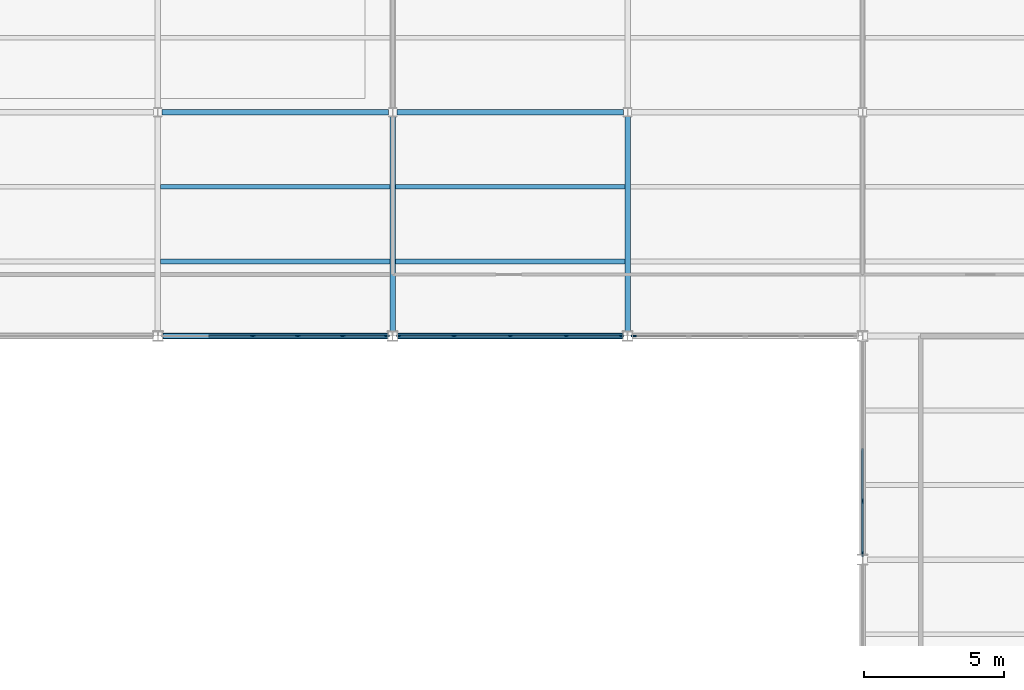
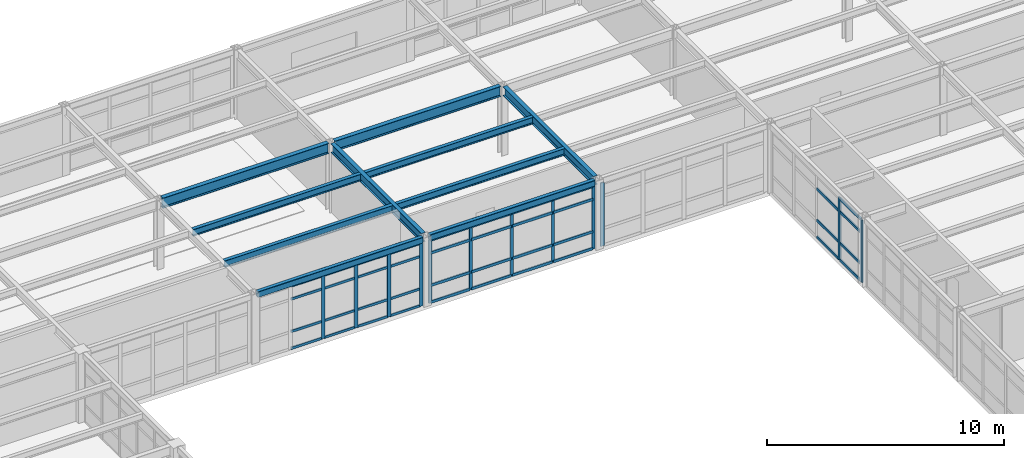
# One storey, part 32 of 96: 51 members, 10 beams, 4 elements without a shape of their own.
"""IFC4 building model written with IfcOpenShell, lengths in metres."""

from ifc_helpers import new_model, si_unit, direction, frame, origin, origin_2d, place, context, subcontext, project, spatial, rectangle, hollow_rectangle, i_section, extrude, material, layer, layer_set, material_profile, profile_set, type_object, element, aggregate, save


model = new_model("IFC4")

# Units and contexts
model_context = context("Model", 3, precision=1e-05, world=origin(), true_north=direction((0.0, 1.0)))
body_context = subcontext(model_context, "Body", "Model", "MODEL_VIEW")
ifc_project = project(units=[si_unit("LENGTHUNIT", "METRE"), si_unit("AREAUNIT", "SQUARE_METRE"), si_unit("VOLUMEUNIT", "CUBIC_METRE"), si_unit("PLANEANGLEUNIT", "RADIAN"), si_unit("MASSUNIT", "GRAM", prefix="KILO")], contexts=[model_context])

# Site, building, storey
site_placement = place(None, origin())
site = spatial("IfcSite", under=ifc_project, at=site_placement, CompositionType="ELEMENT")
building_placement = place(site_placement, origin())
building = spatial("IfcBuilding", under=site, at=building_placement, Name="Kranzveld Transit Interchange", CompositionType="ELEMENT")
storey_placement = place(building_placement, frame((0.0, 0.0, 9.52001953125)))
storey = spatial("IfcBuildingStorey", under=building, at=storey_placement, Name="L02", CompositionType="ELEMENT", Elevation=9.52001953125)

# Beams
ifc_material_1 = material(Name="Steel S355JR", Category="steel")
ifc_material_profile_1 = material_profile(ifc_material_1, i_section(OverallWidth=0.19189453125, OverallDepth=0.46337890625, WebThickness=0.010498046875, FlangeThickness=0.017578125, FilletRadius=0.01025390625, at=origin_2d()), Name="UB 457x191x89")
ifc_profile_set_1 = profile_set([ifc_material_profile_1], Name="Steel S355JR")
beam_type_1 = type_object("IfcBeamType", Name="Beam Steel UB 457x191x89 S355JR", PredefinedType="BEAM", material=ifc_profile_set_1)
for number, where, z_axis, x_axis, name in (
    (1, (134.39990234375, 96.17724609375, 3.33837890625), (0.0, 1.0, 0.0), (-1.0, 0.0, 0.0), "L02 Girder 17/N-P"),
    (2, (142.800048828125, 96.17724609375, 3.33837890625), (0.0, 1.0, 0.0), (-1.0, 0.0, 0.0), "L02 Girder 18/N-P"),
):
    element("IfcBeam", number, at=place(storey_placement, frame(where, z_axis=z_axis, x_axis=x_axis)), inside=storey, type_object=beam_type_1, Name=name, PredefinedType="BEAM", context=body_context, shape_type="SweptSolid", body=[
        extrude(i_section(OverallWidth=0.19189453125, OverallDepth=0.46337890625, WebThickness=0.010498046875, FlangeThickness=0.017578125, FilletRadius=0.01025390625, at=origin_2d()), origin(), (0.0, 0.0, 1.0), 7.662841796875),
    ])

# Curtain wall, members
ifc_material_2 = material(Name="Bronze-anodised thermally broken aluminium", Category="aluminium")
ifc_layer_1 = layer(ifc_material_2, 0.159912109375)
ifc_layer_set_1 = layer_set([ifc_layer_1], Name="Bronze-anodised thermally broken aluminium")
curtain_wall_type_1 = type_object("IfcCurtainWallType", Name="Bus Boarding Glazed Screen CW-3", PredefinedType="USERDEFINED", material=ifc_layer_set_1)
curtain_wall_1_placement = place(storey_placement, origin())
curtain_wall_1 = element("IfcCurtainWall", 3, at=curtain_wall_1_placement, inside=storey, type_object=curtain_wall_type_1, Name="L02 Curtain Wall 17/N-18/N", ObjectType="CURTAIN WALL", PredefinedType="USERDEFINED")
ifc_material_3 = material(Name="Bronze-anodised thermally broken aluminium", Category="aluminium")
ifc_material_profile_2 = material_profile(ifc_material_3, rectangle(XDim=0.06005859375, YDim=0.14990234375, at=origin_2d()), Name="ALU MULLION 60x150")
ifc_profile_set_2 = profile_set([ifc_material_profile_2], Name="Bronze-anodised thermally broken aluminium")
member_type_1 = type_object("IfcMemberType", Name="Curtain Wall Mullion 60x150 Alu", PredefinedType="MULLION", material=ifc_profile_set_2)
member_1_placement = place(storey_placement, frame((134.6171875, 96.0, 0.0), z_axis=(0.0, 0.0, 1.0), x_axis=(0.0, 1.0, 0.0)))
member_1 = element("IfcMember", 4, at=member_1_placement, type_object=member_type_1, Name="CW-3 mullion 1", PredefinedType="MULLION", context=body_context, shape_type="SweptSolid", body=[
    extrude(rectangle(XDim=0.06005859375, YDim=0.14990234375, at=origin_2d()), origin(), (0.0, 0.0, 1.0), 3.27001953125),
])
member_2_placement = place(storey_placement, frame((136.59375, 96.0, 0.0), z_axis=(0.0, 0.0, 1.0), x_axis=(0.0, 1.0, 0.0)))
member_2 = element("IfcMember", 5, at=member_2_placement, type_object=member_type_1, Name="CW-3 mullion 2", PredefinedType="MULLION", context=body_context, shape_type="SweptSolid", body=[
    extrude(rectangle(XDim=0.06005859375, YDim=0.14990234375, at=origin_2d()), origin(), (0.0, 0.0, 1.0), 3.27001953125),
])
member_3_placement = place(storey_placement, frame((138.60009765625, 96.0, 0.0), z_axis=(0.0, 0.0, 1.0), x_axis=(0.0, 1.0, 0.0)))
member_3 = element("IfcMember", 6, at=member_3_placement, type_object=member_type_1, Name="CW-3 mullion 3", PredefinedType="MULLION", context=body_context, shape_type="SweptSolid", body=[
    extrude(rectangle(XDim=0.06005859375, YDim=0.14990234375, at=origin_2d()), origin(), (0.0, 0.0, 1.0), 3.27001953125),
])
member_4_placement = place(storey_placement, frame((140.6064453125, 96.0, 0.0), z_axis=(0.0, 0.0, 1.0), x_axis=(0.0, 1.0, 0.0)))
member_4 = element("IfcMember", 7, at=member_4_placement, type_object=member_type_1, Name="CW-3 mullion 4", PredefinedType="MULLION", context=body_context, shape_type="SweptSolid", body=[
    extrude(rectangle(XDim=0.06005859375, YDim=0.14990234375, at=origin_2d()), origin(), (0.0, 0.0, 1.0), 3.27001953125),
])
member_5_placement = place(storey_placement, frame((142.582763671875, 96.0, 0.0), z_axis=(0.0, 0.0, 1.0), x_axis=(0.0, 1.0, 0.0)))
member_5 = element("IfcMember", 8, at=member_5_placement, type_object=member_type_1, Name="CW-3 mullion 5", PredefinedType="MULLION", context=body_context, shape_type="SweptSolid", body=[
    extrude(rectangle(XDim=0.06005859375, YDim=0.14990234375, at=origin_2d()), origin(), (0.0, 0.0, 1.0), 3.27001953125),
])

ifc_material_4 = material(Name="Bronze-anodised thermally broken aluminium", Category="aluminium")
ifc_layer_2 = layer(ifc_material_4, 0.18505859375)
ifc_layer_set_2 = layer_set([ifc_layer_2], Name="Bronze-anodised thermally broken aluminium")
curtain_wall_type_2 = type_object("IfcCurtainWallType", Name="Control Crown Observation Facade CW-5", PredefinedType="USERDEFINED", material=ifc_layer_set_2)
curtain_wall_2_placement = place(storey_placement, origin())
curtain_wall_2 = element("IfcCurtainWall", 9, at=curtain_wall_2_placement, inside=storey, type_object=curtain_wall_type_2, Name="L02 Curtain Wall 19/M-19/N", ObjectType="CURTAIN WALL", PredefinedType="USERDEFINED")
ifc_material_5 = material(Name="Bronze-anodised thermally broken aluminium", Category="aluminium")
ifc_material_profile_3 = material_profile(ifc_material_5, rectangle(XDim=0.06494140625, YDim=0.179931640625, at=origin_2d()), Name="ALU MULLION 65x180")
ifc_profile_set_3 = profile_set([ifc_material_profile_3], Name="Bronze-anodised thermally broken aluminium")
member_type_2 = type_object("IfcMemberType", Name="Curtain Wall Mullion 65x180 Alu", PredefinedType="MULLION", material=ifc_profile_set_3)
member_6_placement = place(storey_placement, frame((151.199951171875, 88.2197265625, 0.0), z_axis=(0.0, 0.0, 1.0), x_axis=(-1.0, 0.0, 0.0)))
member_6 = element("IfcMember", 10, at=member_6_placement, type_object=member_type_2, Name="CW-5 mullion 1", PredefinedType="MULLION", context=body_context, shape_type="SweptSolid", body=[
    extrude(rectangle(XDim=0.06494140625, YDim=0.179931640625, at=origin_2d()), origin(), (0.0, 0.0, 1.0), 3.218505859375),
])
member_7_placement = place(storey_placement, frame((151.199951171875, 90.09375, 0.0), z_axis=(0.0, 0.0, 1.0), x_axis=(-1.0, 0.0, 0.0)))
member_7 = element("IfcMember", 11, at=member_7_placement, type_object=member_type_2, Name="CW-5 mullion 2", PredefinedType="MULLION", context=body_context, shape_type="SweptSolid", body=[
    extrude(rectangle(XDim=0.06494140625, YDim=0.179931640625, at=origin_2d()), origin(), (0.0, 0.0, 1.0), 3.218505859375),
])

ifc_material_6 = material(Name="Bronze-anodised thermally broken aluminium", Category="aluminium")
ifc_layer_3 = layer(ifc_material_6, 0.1650390625)
ifc_layer_set_3 = layer_set([ifc_layer_3], Name="Bronze-anodised thermally broken aluminium")
curtain_wall_type_3 = type_object("IfcCurtainWallType", Name="Sunny Court Arcade Curtain Wall CW-2", PredefinedType="USERDEFINED", material=ifc_layer_set_3)
curtain_wall_3_placement = place(storey_placement, origin())
curtain_wall_3 = element("IfcCurtainWall", 12, at=curtain_wall_3_placement, inside=storey, type_object=curtain_wall_type_3, Name="L02 Curtain Wall 16/N-17/N", ObjectType="CURTAIN WALL", PredefinedType="USERDEFINED")
member_8_placement = place(storey_placement, frame((129.3974609375, 96.0, 0.0), z_axis=(0.0, 0.0, 1.0), x_axis=(0.0, 1.0, 0.0)))
member_8 = element("IfcMember", 13, at=member_8_placement, type_object=member_type_2, Name="CW-2 mullion 3", PredefinedType="MULLION", context=body_context, shape_type="SweptSolid", body=[
    extrude(rectangle(XDim=0.06494140625, YDim=0.179931640625, at=origin_2d()), origin(), (0.0, 0.0, 1.0), 3.27001953125),
])
member_9_placement = place(storey_placement, frame((131.00244140625, 96.0, 0.0), z_axis=(0.0, 0.0, 1.0), x_axis=(0.0, 1.0, 0.0)))
member_9 = element("IfcMember", 14, at=member_9_placement, type_object=member_type_2, Name="CW-2 mullion 4", PredefinedType="MULLION", context=body_context, shape_type="SweptSolid", body=[
    extrude(rectangle(XDim=0.06494140625, YDim=0.179931640625, at=origin_2d()), origin(), (0.0, 0.0, 1.0), 3.27001953125),
])
member_10_placement = place(storey_placement, frame((132.607666015625, 96.0, 0.0), z_axis=(0.0, 0.0, 1.0), x_axis=(0.0, 1.0, 0.0)))
member_10 = element("IfcMember", 15, at=member_10_placement, type_object=member_type_2, Name="CW-2 mullion 5", PredefinedType="MULLION", context=body_context, shape_type="SweptSolid", body=[
    extrude(rectangle(XDim=0.06494140625, YDim=0.179931640625, at=origin_2d()), origin(), (0.0, 0.0, 1.0), 3.27001953125),
])
member_11_placement = place(storey_placement, frame((134.18017578125, 96.0, 0.0), z_axis=(0.0, 0.0, 1.0), x_axis=(0.0, 1.0, 0.0)))
member_11 = element("IfcMember", 16, at=member_11_placement, type_object=member_type_2, Name="CW-2 mullion 6", PredefinedType="MULLION", context=body_context, shape_type="SweptSolid", body=[
    extrude(rectangle(XDim=0.06494140625, YDim=0.179931640625, at=origin_2d()), origin(), (0.0, 0.0, 1.0), 3.27001953125),
])

# Curtain wall, member
ifc_material_7 = material(Name="Bronze-anodised thermally broken aluminium", Category="aluminium")
ifc_layer_4 = layer(ifc_material_7, 0.179931640625)
ifc_layer_set_4 = layer_set([ifc_layer_4], Name="Bronze-anodised thermally broken aluminium")
curtain_wall_type_4 = type_object("IfcCurtainWallType", Name="Concourse Unitised Curtain Wall CW-1", PredefinedType="USERDEFINED", material=ifc_layer_set_4)
curtain_wall_4_placement = place(storey_placement, origin())
curtain_wall_4 = element("IfcCurtainWall", 17, at=curtain_wall_4_placement, inside=storey, type_object=curtain_wall_type_4, Name="L02 Curtain Wall 18/N-19/N", ObjectType="CURTAIN WALL", PredefinedType="USERDEFINED")
member_12_placement = place(storey_placement, frame((143.019775390625, 96.0, 0.0), z_axis=(0.0, 0.0, 1.0), x_axis=(0.0, 1.0, 0.0)))
member_12 = element("IfcMember", 18, at=member_12_placement, type_object=member_type_2, Name="CW-1 mullion 1", PredefinedType="MULLION", context=body_context, shape_type="SweptSolid", body=[
    extrude(rectangle(XDim=0.06494140625, YDim=0.179931640625, at=origin_2d()), origin(), (0.0, 0.0, 1.0), 3.27001953125),
])
aggregate(curtain_wall_4, [member_12])

# Member
ifc_material_8 = material(Name="Bronze-anodised thermally broken aluminium", Category="aluminium")
ifc_material_profile_4 = material_profile(ifc_material_8, rectangle(XDim=0.06005859375, YDim=0.125, at=origin_2d()), Name="ALU TRANSOM 60x125")
ifc_profile_set_4 = profile_set([ifc_material_profile_4], Name="Bronze-anodised thermally broken aluminium")
member_type_3 = type_object("IfcMemberType", Name="Curtain Wall Transom 60x125 Alu", PredefinedType="USERDEFINED", material=ifc_profile_set_4)
member_13_placement = place(storey_placement, frame((127.824951171875, 96.0, 0.030029296875), z_axis=(1.0, 0.0, 0.0), x_axis=(0.0, 1.0, 0.0)))
member_13 = element("IfcMember", 19, at=member_13_placement, type_object=member_type_3, Name="CW-2 transom 2.1", ObjectType="TRANSOM", PredefinedType="USERDEFINED", context=body_context, shape_type="SweptSolid", body=[
    extrude(rectangle(XDim=0.06005859375, YDim=0.125, at=origin_2d()), origin(), (0.0, 0.0, 1.0), 1.5400390625),
])

member_14_placement = place(storey_placement, frame((127.824951171875, 96.0, 0.89990234375), z_axis=(1.0, 0.0, 0.0), x_axis=(0.0, 1.0, 0.0)))
member_14 = element("IfcMember", 20, at=member_14_placement, type_object=member_type_3, Name="CW-2 transom 2.2", ObjectType="TRANSOM", PredefinedType="USERDEFINED", context=body_context, shape_type="SweptSolid", body=[
    extrude(rectangle(XDim=0.06005859375, YDim=0.125, at=origin_2d()), origin(), (0.0, 0.0, 1.0), 1.5400390625),
])

member_15_placement = place(storey_placement, frame((127.824951171875, 96.0, 2.570068359375), z_axis=(1.0, 0.0, 0.0), x_axis=(0.0, 1.0, 0.0)))
member_15 = element("IfcMember", 21, at=member_15_placement, type_object=member_type_3, Name="CW-2 transom 2.3", ObjectType="TRANSOM", PredefinedType="USERDEFINED", context=body_context, shape_type="SweptSolid", body=[
    extrude(rectangle(XDim=0.06005859375, YDim=0.125, at=origin_2d()), origin(), (0.0, 0.0, 1.0), 1.5400390625),
])

member_16_placement = place(storey_placement, frame((127.824951171875, 96.0, 3.239990234375), z_axis=(1.0, 0.0, 0.0), x_axis=(0.0, 1.0, 0.0)))
member_16 = element("IfcMember", 22, at=member_16_placement, type_object=member_type_3, Name="CW-2 transom 2.4", ObjectType="TRANSOM", PredefinedType="USERDEFINED", context=body_context, shape_type="SweptSolid", body=[
    extrude(rectangle(XDim=0.06005859375, YDim=0.125, at=origin_2d()), origin(), (0.0, 0.0, 1.0), 1.5400390625),
])

member_17_placement = place(storey_placement, frame((129.429931640625, 96.0, 0.030029296875), z_axis=(1.0, 0.0, 0.0), x_axis=(0.0, 1.0, 0.0)))
member_17 = element("IfcMember", 23, at=member_17_placement, type_object=member_type_3, Name="CW-2 transom 3.1", ObjectType="TRANSOM", PredefinedType="USERDEFINED", context=body_context, shape_type="SweptSolid", body=[
    extrude(rectangle(XDim=0.06005859375, YDim=0.125, at=origin_2d()), origin(), (0.0, 0.0, 1.0), 1.5400390625),
])

member_18_placement = place(storey_placement, frame((129.429931640625, 96.0, 0.89990234375), z_axis=(1.0, 0.0, 0.0), x_axis=(0.0, 1.0, 0.0)))
member_18 = element("IfcMember", 24, at=member_18_placement, type_object=member_type_3, Name="CW-2 transom 3.2", ObjectType="TRANSOM", PredefinedType="USERDEFINED", context=body_context, shape_type="SweptSolid", body=[
    extrude(rectangle(XDim=0.06005859375, YDim=0.125, at=origin_2d()), origin(), (0.0, 0.0, 1.0), 1.5400390625),
])

member_19_placement = place(storey_placement, frame((129.429931640625, 96.0, 2.570068359375), z_axis=(1.0, 0.0, 0.0), x_axis=(0.0, 1.0, 0.0)))
member_19 = element("IfcMember", 25, at=member_19_placement, type_object=member_type_3, Name="CW-2 transom 3.3", ObjectType="TRANSOM", PredefinedType="USERDEFINED", context=body_context, shape_type="SweptSolid", body=[
    extrude(rectangle(XDim=0.06005859375, YDim=0.125, at=origin_2d()), origin(), (0.0, 0.0, 1.0), 1.5400390625),
])

member_20_placement = place(storey_placement, frame((129.429931640625, 96.0, 3.239990234375), z_axis=(1.0, 0.0, 0.0), x_axis=(0.0, 1.0, 0.0)))
member_20 = element("IfcMember", 26, at=member_20_placement, type_object=member_type_3, Name="CW-2 transom 3.4", ObjectType="TRANSOM", PredefinedType="USERDEFINED", context=body_context, shape_type="SweptSolid", body=[
    extrude(rectangle(XDim=0.06005859375, YDim=0.125, at=origin_2d()), origin(), (0.0, 0.0, 1.0), 1.5400390625),
])

member_21_placement = place(storey_placement, frame((131.03515625, 96.0, 0.030029296875), z_axis=(1.0, 0.0, 0.0), x_axis=(0.0, 1.0, 0.0)))
member_21 = element("IfcMember", 27, at=member_21_placement, type_object=member_type_3, Name="CW-2 transom 4.1", ObjectType="TRANSOM", PredefinedType="USERDEFINED", context=body_context, shape_type="SweptSolid", body=[
    extrude(rectangle(XDim=0.06005859375, YDim=0.125, at=origin_2d()), origin(), (0.0, 0.0, 1.0), 1.5400390625),
])

member_22_placement = place(storey_placement, frame((131.03515625, 96.0, 0.89990234375), z_axis=(1.0, 0.0, 0.0), x_axis=(0.0, 1.0, 0.0)))
member_22 = element("IfcMember", 28, at=member_22_placement, type_object=member_type_3, Name="CW-2 transom 4.2", ObjectType="TRANSOM", PredefinedType="USERDEFINED", context=body_context, shape_type="SweptSolid", body=[
    extrude(rectangle(XDim=0.06005859375, YDim=0.125, at=origin_2d()), origin(), (0.0, 0.0, 1.0), 1.5400390625),
])

member_23_placement = place(storey_placement, frame((131.03515625, 96.0, 2.570068359375), z_axis=(1.0, 0.0, 0.0), x_axis=(0.0, 1.0, 0.0)))
member_23 = element("IfcMember", 29, at=member_23_placement, type_object=member_type_3, Name="CW-2 transom 4.3", ObjectType="TRANSOM", PredefinedType="USERDEFINED", context=body_context, shape_type="SweptSolid", body=[
    extrude(rectangle(XDim=0.06005859375, YDim=0.125, at=origin_2d()), origin(), (0.0, 0.0, 1.0), 1.5400390625),
])

member_24_placement = place(storey_placement, frame((131.03515625, 96.0, 3.239990234375), z_axis=(1.0, 0.0, 0.0), x_axis=(0.0, 1.0, 0.0)))
member_24 = element("IfcMember", 30, at=member_24_placement, type_object=member_type_3, Name="CW-2 transom 4.4", ObjectType="TRANSOM", PredefinedType="USERDEFINED", context=body_context, shape_type="SweptSolid", body=[
    extrude(rectangle(XDim=0.06005859375, YDim=0.125, at=origin_2d()), origin(), (0.0, 0.0, 1.0), 1.5400390625),
])

member_25_placement = place(storey_placement, frame((132.64013671875, 96.0, 0.030029296875), z_axis=(1.0, 0.0, 0.0), x_axis=(0.0, 1.0, 0.0)))
member_25 = element("IfcMember", 31, at=member_25_placement, type_object=member_type_3, Name="CW-2 transom 5.1", ObjectType="TRANSOM", PredefinedType="USERDEFINED", context=body_context, shape_type="SweptSolid", body=[
    extrude(rectangle(XDim=0.06005859375, YDim=0.125, at=origin_2d()), origin(), (0.0, 0.0, 1.0), 1.507568359375),
])

member_26_placement = place(storey_placement, frame((132.64013671875, 96.0, 0.89990234375), z_axis=(1.0, 0.0, 0.0), x_axis=(0.0, 1.0, 0.0)))
member_26 = element("IfcMember", 32, at=member_26_placement, type_object=member_type_3, Name="CW-2 transom 5.2", ObjectType="TRANSOM", PredefinedType="USERDEFINED", context=body_context, shape_type="SweptSolid", body=[
    extrude(rectangle(XDim=0.06005859375, YDim=0.125, at=origin_2d()), origin(), (0.0, 0.0, 1.0), 1.507568359375),
])

member_27_placement = place(storey_placement, frame((132.64013671875, 96.0, 2.570068359375), z_axis=(1.0, 0.0, 0.0), x_axis=(0.0, 1.0, 0.0)))
member_27 = element("IfcMember", 33, at=member_27_placement, type_object=member_type_3, Name="CW-2 transom 5.3", ObjectType="TRANSOM", PredefinedType="USERDEFINED", context=body_context, shape_type="SweptSolid", body=[
    extrude(rectangle(XDim=0.06005859375, YDim=0.125, at=origin_2d()), origin(), (0.0, 0.0, 1.0), 1.507568359375),
])

member_28_placement = place(storey_placement, frame((132.64013671875, 96.0, 3.239990234375), z_axis=(1.0, 0.0, 0.0), x_axis=(0.0, 1.0, 0.0)))
member_28 = element("IfcMember", 34, at=member_28_placement, type_object=member_type_3, Name="CW-2 transom 5.4", ObjectType="TRANSOM", PredefinedType="USERDEFINED", context=body_context, shape_type="SweptSolid", body=[
    extrude(rectangle(XDim=0.06005859375, YDim=0.125, at=origin_2d()), origin(), (0.0, 0.0, 1.0), 1.507568359375),
])

aggregate(curtain_wall_3, [member_8, member_9, member_10, member_11, member_13, member_14, member_15, member_16, member_17, member_18, member_19, member_20, member_21, member_22, member_23, member_24, member_25, member_26, member_27, member_28])

ifc_material_9 = material(Name="Bronze-anodised thermally broken aluminium", Category="aluminium")
ifc_material_profile_5 = material_profile(ifc_material_9, rectangle(XDim=0.06494140625, YDim=0.139892578125, at=origin_2d()), Name="ALU TRANSOM 65x140")
ifc_profile_set_5 = profile_set([ifc_material_profile_5], Name="Bronze-anodised thermally broken aluminium")
member_type_4 = type_object("IfcMemberType", Name="Curtain Wall Transom 65x140 Alu", PredefinedType="USERDEFINED", material=ifc_profile_set_5)
member_29_placement = place(storey_placement, frame((151.199951171875, 88.252197265625, 0.032470703125), z_axis=(0.0, 1.0, 0.0), x_axis=(-1.0, 0.0, 0.0)))
member_29 = element("IfcMember", 35, at=member_29_placement, type_object=member_type_4, Name="CW-5 transom 1.1", ObjectType="TRANSOM", PredefinedType="USERDEFINED", context=body_context, shape_type="SweptSolid", body=[
    extrude(rectangle(XDim=0.06494140625, YDim=0.139892578125, at=origin_2d()), origin(), (0.0, 0.0, 1.0), 1.808837890625),
])

member_30_placement = place(storey_placement, frame((151.199951171875, 88.252197265625, 0.89990234375), z_axis=(0.0, 1.0, 0.0), x_axis=(-1.0, 0.0, 0.0)))
member_30 = element("IfcMember", 36, at=member_30_placement, type_object=member_type_4, Name="CW-5 transom 1.2", ObjectType="TRANSOM", PredefinedType="USERDEFINED", context=body_context, shape_type="SweptSolid", body=[
    extrude(rectangle(XDim=0.06494140625, YDim=0.139892578125, at=origin_2d()), origin(), (0.0, 0.0, 1.0), 1.808837890625),
])

member_31_placement = place(storey_placement, frame((151.199951171875, 88.252197265625, 2.5185546875), z_axis=(0.0, 1.0, 0.0), x_axis=(-1.0, 0.0, 0.0)))
member_31 = element("IfcMember", 37, at=member_31_placement, type_object=member_type_4, Name="CW-5 transom 1.3", ObjectType="TRANSOM", PredefinedType="USERDEFINED", context=body_context, shape_type="SweptSolid", body=[
    extrude(rectangle(XDim=0.06494140625, YDim=0.139892578125, at=origin_2d()), origin(), (0.0, 0.0, 1.0), 1.808837890625),
])

member_32_placement = place(storey_placement, frame((151.199951171875, 88.252197265625, 3.18603515625), z_axis=(0.0, 1.0, 0.0), x_axis=(-1.0, 0.0, 0.0)))
member_32 = element("IfcMember", 38, at=member_32_placement, type_object=member_type_4, Name="CW-5 transom 1.4", ObjectType="TRANSOM", PredefinedType="USERDEFINED", context=body_context, shape_type="SweptSolid", body=[
    extrude(rectangle(XDim=0.06494140625, YDim=0.139892578125, at=origin_2d()), origin(), (0.0, 0.0, 1.0), 1.808837890625),
])

member_33_placement = place(storey_placement, frame((151.199951171875, 90.126220703125, 0.032470703125), z_axis=(0.0, 1.0, 0.0), x_axis=(-1.0, 0.0, 0.0)))
member_33 = element("IfcMember", 39, at=member_33_placement, type_object=member_type_4, Name="CW-5 transom 2.1", ObjectType="TRANSOM", PredefinedType="USERDEFINED", context=body_context, shape_type="SweptSolid", body=[
    extrude(rectangle(XDim=0.06494140625, YDim=0.139892578125, at=origin_2d()), origin(), (0.0, 0.0, 1.0), 1.84130859375),
])

member_34_placement = place(storey_placement, frame((151.199951171875, 90.126220703125, 0.89990234375), z_axis=(0.0, 1.0, 0.0), x_axis=(-1.0, 0.0, 0.0)))
member_34 = element("IfcMember", 40, at=member_34_placement, type_object=member_type_4, Name="CW-5 transom 2.2", ObjectType="TRANSOM", PredefinedType="USERDEFINED", context=body_context, shape_type="SweptSolid", body=[
    extrude(rectangle(XDim=0.06494140625, YDim=0.139892578125, at=origin_2d()), origin(), (0.0, 0.0, 1.0), 1.84130859375),
])

member_35_placement = place(storey_placement, frame((151.199951171875, 90.126220703125, 2.5185546875), z_axis=(0.0, 1.0, 0.0), x_axis=(-1.0, 0.0, 0.0)))
member_35 = element("IfcMember", 41, at=member_35_placement, type_object=member_type_4, Name="CW-5 transom 2.3", ObjectType="TRANSOM", PredefinedType="USERDEFINED", context=body_context, shape_type="SweptSolid", body=[
    extrude(rectangle(XDim=0.06494140625, YDim=0.139892578125, at=origin_2d()), origin(), (0.0, 0.0, 1.0), 1.84130859375),
])

aggregate(curtain_wall_2, [member_6, member_7, member_29, member_30, member_31, member_32, member_33, member_34, member_35])

member_36_placement = place(storey_placement, frame((134.647216796875, 96.0, 0.032470703125), z_axis=(1.0, 0.0, 0.0), x_axis=(0.0, 1.0, 0.0)))
member_36 = element("IfcMember", 42, at=member_36_placement, type_object=member_type_4, Name="CW-3 transom 1.1", ObjectType="TRANSOM", PredefinedType="USERDEFINED", context=body_context, shape_type="SweptSolid", body=[
    extrude(rectangle(XDim=0.06494140625, YDim=0.139892578125, at=origin_2d()), origin(), (0.0, 0.0, 1.0), 1.91650390625),
])

member_37_placement = place(storey_placement, frame((134.647216796875, 96.0, 0.89990234375), z_axis=(1.0, 0.0, 0.0), x_axis=(0.0, 1.0, 0.0)))
member_37 = element("IfcMember", 43, at=member_37_placement, type_object=member_type_4, Name="CW-3 transom 1.2", ObjectType="TRANSOM", PredefinedType="USERDEFINED", context=body_context, shape_type="SweptSolid", body=[
    extrude(rectangle(XDim=0.06494140625, YDim=0.139892578125, at=origin_2d()), origin(), (0.0, 0.0, 1.0), 1.91650390625),
])

member_38_placement = place(storey_placement, frame((134.647216796875, 96.0, 2.570068359375), z_axis=(1.0, 0.0, 0.0), x_axis=(0.0, 1.0, 0.0)))
member_38 = element("IfcMember", 44, at=member_38_placement, type_object=member_type_4, Name="CW-3 transom 1.3", ObjectType="TRANSOM", PredefinedType="USERDEFINED", context=body_context, shape_type="SweptSolid", body=[
    extrude(rectangle(XDim=0.06494140625, YDim=0.139892578125, at=origin_2d()), origin(), (0.0, 0.0, 1.0), 1.91650390625),
])

member_39_placement = place(storey_placement, frame((134.647216796875, 96.0, 3.237548828125), z_axis=(1.0, 0.0, 0.0), x_axis=(0.0, 1.0, 0.0)))
member_39 = element("IfcMember", 45, at=member_39_placement, type_object=member_type_4, Name="CW-3 transom 1.4", ObjectType="TRANSOM", PredefinedType="USERDEFINED", context=body_context, shape_type="SweptSolid", body=[
    extrude(rectangle(XDim=0.06494140625, YDim=0.139892578125, at=origin_2d()), origin(), (0.0, 0.0, 1.0), 1.91650390625),
])

member_40_placement = place(storey_placement, frame((136.62353515625, 96.0, 0.032470703125), z_axis=(1.0, 0.0, 0.0), x_axis=(0.0, 1.0, 0.0)))
member_40 = element("IfcMember", 46, at=member_40_placement, type_object=member_type_4, Name="CW-3 transom 2.1", ObjectType="TRANSOM", PredefinedType="USERDEFINED", context=body_context, shape_type="SweptSolid", body=[
    extrude(rectangle(XDim=0.06494140625, YDim=0.139892578125, at=origin_2d()), origin(), (0.0, 0.0, 1.0), 1.946533203125),
])

member_41_placement = place(storey_placement, frame((136.62353515625, 96.0, 0.89990234375), z_axis=(1.0, 0.0, 0.0), x_axis=(0.0, 1.0, 0.0)))
member_41 = element("IfcMember", 47, at=member_41_placement, type_object=member_type_4, Name="CW-3 transom 2.2", ObjectType="TRANSOM", PredefinedType="USERDEFINED", context=body_context, shape_type="SweptSolid", body=[
    extrude(rectangle(XDim=0.06494140625, YDim=0.139892578125, at=origin_2d()), origin(), (0.0, 0.0, 1.0), 1.946533203125),
])

member_42_placement = place(storey_placement, frame((136.62353515625, 96.0, 2.570068359375), z_axis=(1.0, 0.0, 0.0), x_axis=(0.0, 1.0, 0.0)))
member_42 = element("IfcMember", 48, at=member_42_placement, type_object=member_type_4, Name="CW-3 transom 2.3", ObjectType="TRANSOM", PredefinedType="USERDEFINED", context=body_context, shape_type="SweptSolid", body=[
    extrude(rectangle(XDim=0.06494140625, YDim=0.139892578125, at=origin_2d()), origin(), (0.0, 0.0, 1.0), 1.946533203125),
])

member_43_placement = place(storey_placement, frame((136.62353515625, 96.0, 3.237548828125), z_axis=(1.0, 0.0, 0.0), x_axis=(0.0, 1.0, 0.0)))
member_43 = element("IfcMember", 49, at=member_43_placement, type_object=member_type_4, Name="CW-3 transom 2.4", ObjectType="TRANSOM", PredefinedType="USERDEFINED", context=body_context, shape_type="SweptSolid", body=[
    extrude(rectangle(XDim=0.06494140625, YDim=0.139892578125, at=origin_2d()), origin(), (0.0, 0.0, 1.0), 1.946533203125),
])

member_44_placement = place(storey_placement, frame((138.6298828125, 96.0, 0.032470703125), z_axis=(1.0, 0.0, 0.0), x_axis=(0.0, 1.0, 0.0)))
member_44 = element("IfcMember", 50, at=member_44_placement, type_object=member_type_4, Name="CW-3 transom 3.1", ObjectType="TRANSOM", PredefinedType="USERDEFINED", context=body_context, shape_type="SweptSolid", body=[
    extrude(rectangle(XDim=0.06494140625, YDim=0.139892578125, at=origin_2d()), origin(), (0.0, 0.0, 1.0), 1.946533203125),
])

member_45_placement = place(storey_placement, frame((138.6298828125, 96.0, 0.89990234375), z_axis=(1.0, 0.0, 0.0), x_axis=(0.0, 1.0, 0.0)))
member_45 = element("IfcMember", 51, at=member_45_placement, type_object=member_type_4, Name="CW-3 transom 3.2", ObjectType="TRANSOM", PredefinedType="USERDEFINED", context=body_context, shape_type="SweptSolid", body=[
    extrude(rectangle(XDim=0.06494140625, YDim=0.139892578125, at=origin_2d()), origin(), (0.0, 0.0, 1.0), 1.946533203125),
])

member_46_placement = place(storey_placement, frame((138.6298828125, 96.0, 2.570068359375), z_axis=(1.0, 0.0, 0.0), x_axis=(0.0, 1.0, 0.0)))
member_46 = element("IfcMember", 52, at=member_46_placement, type_object=member_type_4, Name="CW-3 transom 3.3", ObjectType="TRANSOM", PredefinedType="USERDEFINED", context=body_context, shape_type="SweptSolid", body=[
    extrude(rectangle(XDim=0.06494140625, YDim=0.139892578125, at=origin_2d()), origin(), (0.0, 0.0, 1.0), 1.946533203125),
])

member_47_placement = place(storey_placement, frame((138.6298828125, 96.0, 3.237548828125), z_axis=(1.0, 0.0, 0.0), x_axis=(0.0, 1.0, 0.0)))
member_47 = element("IfcMember", 53, at=member_47_placement, type_object=member_type_4, Name="CW-3 transom 3.4", ObjectType="TRANSOM", PredefinedType="USERDEFINED", context=body_context, shape_type="SweptSolid", body=[
    extrude(rectangle(XDim=0.06494140625, YDim=0.139892578125, at=origin_2d()), origin(), (0.0, 0.0, 1.0), 1.946533203125),
])

member_48_placement = place(storey_placement, frame((140.63623046875, 96.0, 0.032470703125), z_axis=(1.0, 0.0, 0.0), x_axis=(0.0, 1.0, 0.0)))
member_48 = element("IfcMember", 54, at=member_48_placement, type_object=member_type_4, Name="CW-3 transom 4.1", ObjectType="TRANSOM", PredefinedType="USERDEFINED", context=body_context, shape_type="SweptSolid", body=[
    extrude(rectangle(XDim=0.06494140625, YDim=0.139892578125, at=origin_2d()), origin(), (0.0, 0.0, 1.0), 1.91650390625),
])

member_49_placement = place(storey_placement, frame((140.63623046875, 96.0, 0.89990234375), z_axis=(1.0, 0.0, 0.0), x_axis=(0.0, 1.0, 0.0)))
member_49 = element("IfcMember", 55, at=member_49_placement, type_object=member_type_4, Name="CW-3 transom 4.2", ObjectType="TRANSOM", PredefinedType="USERDEFINED", context=body_context, shape_type="SweptSolid", body=[
    extrude(rectangle(XDim=0.06494140625, YDim=0.139892578125, at=origin_2d()), origin(), (0.0, 0.0, 1.0), 1.91650390625),
])

member_50_placement = place(storey_placement, frame((140.63623046875, 96.0, 2.570068359375), z_axis=(1.0, 0.0, 0.0), x_axis=(0.0, 1.0, 0.0)))
member_50 = element("IfcMember", 56, at=member_50_placement, type_object=member_type_4, Name="CW-3 transom 4.3", ObjectType="TRANSOM", PredefinedType="USERDEFINED", context=body_context, shape_type="SweptSolid", body=[
    extrude(rectangle(XDim=0.06494140625, YDim=0.139892578125, at=origin_2d()), origin(), (0.0, 0.0, 1.0), 1.91650390625),
])

member_51_placement = place(storey_placement, frame((140.63623046875, 96.0, 3.237548828125), z_axis=(1.0, 0.0, 0.0), x_axis=(0.0, 1.0, 0.0)))
member_51 = element("IfcMember", 57, at=member_51_placement, type_object=member_type_4, Name="CW-3 transom 4.4", ObjectType="TRANSOM", PredefinedType="USERDEFINED", context=body_context, shape_type="SweptSolid", body=[
    extrude(rectangle(XDim=0.06494140625, YDim=0.139892578125, at=origin_2d()), origin(), (0.0, 0.0, 1.0), 1.91650390625),
])

aggregate(curtain_wall_1, [member_1, member_2, member_3, member_4, member_5, member_36, member_37, member_38, member_39, member_40, member_41, member_42, member_43, member_44, member_45, member_46, member_47, member_48, member_49, member_50, member_51])

# Beams
ifc_material_10 = material(Name="Steel S355JR", Category="steel")
ifc_material_profile_6 = material_profile(ifc_material_10, hollow_rectangle(XDim=0.199951171875, YDim=0.300048828125, WallThickness=0.010009765625, InnerFilletRadius=0.014892578125, OuterFilletRadius=0.02490234375, at=origin_2d()), Name="RHS 300x200x10")
ifc_profile_set_6 = profile_set([ifc_material_profile_6], Name="Steel S355JR")
beam_type_2 = type_object("IfcBeamType", Name="Edge Spandrel RHS 300x200x10 S355JR", PredefinedType="SPANDREL", material=ifc_profile_set_6)
for number, where, z_axis, x_axis, name in (
    (58, (126.17724609375, 96.0, 3.419921875), (1.0, 0.0, 0.0), (0.0, 1.0, 0.0), "L02 Girder 16-17/N"),
    (59, (134.577392578125, 96.0, 3.419921875), (1.0, 0.0, 0.0), (0.0, 1.0, 0.0), "L02 Girder 17-18/N"),
):
    element("IfcBeam", number, at=place(storey_placement, frame(where, z_axis=z_axis, x_axis=x_axis)), inside=storey, type_object=beam_type_2, Name=name, PredefinedType="SPANDREL", context=body_context, shape_type="SweptSolid", body=[
        extrude(hollow_rectangle(XDim=0.199951171875, YDim=0.300048828125, WallThickness=0.010009765625, InnerFilletRadius=0.014892578125, OuterFilletRadius=0.02490234375, at=origin_2d()), origin(), (0.0, 0.0, 1.0), 8.04541015625),
    ])
ifc_material_11 = material(Name="Steel S355JR", Category="steel")
ifc_material_profile_7 = material_profile(ifc_material_11, i_section(OverallWidth=0.171142578125, OverallDepth=0.351318359375, WebThickness=0.007080078125, FlangeThickness=0.009765625, FilletRadius=0.01025390625, at=origin_2d()), Name="UB 356x171x45")
ifc_profile_set_7 = profile_set([ifc_material_profile_7], Name="Steel S355JR")
beam_type_3 = type_object("IfcBeamType", Name="Floor Joist UB 356x171x45 S355JR", PredefinedType="JOIST", material=ifc_profile_set_7)
for number, where, z_axis, x_axis, name in (
    (60, (126.097900390625, 98.666748046875, 3.394287109375), (1.0, 0.0, 0.0), (0.0, 1.0, 0.0), "L02 Secondary Joist 16-17/N.1"),
    (61, (126.097900390625, 101.333251953125, 3.394287109375), (1.0, 0.0, 0.0), (0.0, 1.0, 0.0), "L02 Secondary Joist 16-17/N.2"),
    (62, (134.498046875, 98.666748046875, 3.394287109375), (1.0, 0.0, 0.0), (0.0, 1.0, 0.0), "L02 Secondary Joist 17-18/N.1"),
    (63, (134.498046875, 101.333251953125, 3.394287109375), (1.0, 0.0, 0.0), (0.0, 1.0, 0.0), "L02 Secondary Joist 17-18/N.2"),
):
    element("IfcBeam", number, at=place(storey_placement, frame(where, z_axis=z_axis, x_axis=x_axis)), inside=storey, type_object=beam_type_3, Name=name, PredefinedType="JOIST", context=body_context, shape_type="SweptSolid", body=[
        extrude(i_section(OverallWidth=0.171142578125, OverallDepth=0.351318359375, WebThickness=0.007080078125, FlangeThickness=0.009765625, FilletRadius=0.01025390625, at=origin_2d()), origin(), (0.0, 0.0, 1.0), 8.2041015625),
    ])
ifc_material_12 = material(Name="Steel S355JR", Category="steel")
ifc_material_profile_8 = material_profile(ifc_material_12, i_section(OverallWidth=0.209228515625, OverallDepth=0.533203125, WebThickness=0.010009765625, FlangeThickness=0.015625, FilletRadius=0.0126953125, at=origin_2d()), Name="UB 533x210x92")
ifc_profile_set_8 = profile_set([ifc_material_profile_8], Name="Steel S355JR")
beam_type_4 = type_object("IfcBeamType", Name="Girder Steel UB 533x210x92 S355JR", PredefinedType="BEAM", material=ifc_profile_set_8)
beam_1_placement = place(storey_placement, frame((126.147216796875, 104.0, 3.303466796875), z_axis=(1.0, 0.0, 0.0), x_axis=(0.0, 1.0, 0.0)))
element("IfcBeam", 64, at=beam_1_placement, inside=storey, type_object=beam_type_4, Name="L02 Girder 16-17/P", PredefinedType="BEAM", context=body_context, shape_type="SweptSolid", body=[
    extrude(i_section(OverallWidth=0.209228515625, OverallDepth=0.533203125, WebThickness=0.010009765625, FlangeThickness=0.015625, FilletRadius=0.0126953125, at=origin_2d()), origin(), (0.0, 0.0, 1.0), 8.10546875),
])
beam_2_placement = place(storey_placement, frame((134.547119140625, 104.0, 3.303466796875), z_axis=(1.0, 0.0, 0.0), x_axis=(0.0, 1.0, 0.0)))
element("IfcBeam", 65, at=beam_2_placement, inside=storey, type_object=beam_type_4, Name="L02 Girder 17-18/P", PredefinedType="BEAM", context=body_context, shape_type="SweptSolid", body=[
    extrude(i_section(OverallWidth=0.209228515625, OverallDepth=0.533203125, WebThickness=0.010009765625, FlangeThickness=0.015625, FilletRadius=0.0126953125, at=origin_2d()), origin(), (0.0, 0.0, 1.0), 8.105712890625),
])

save(model, "model.ifc")
